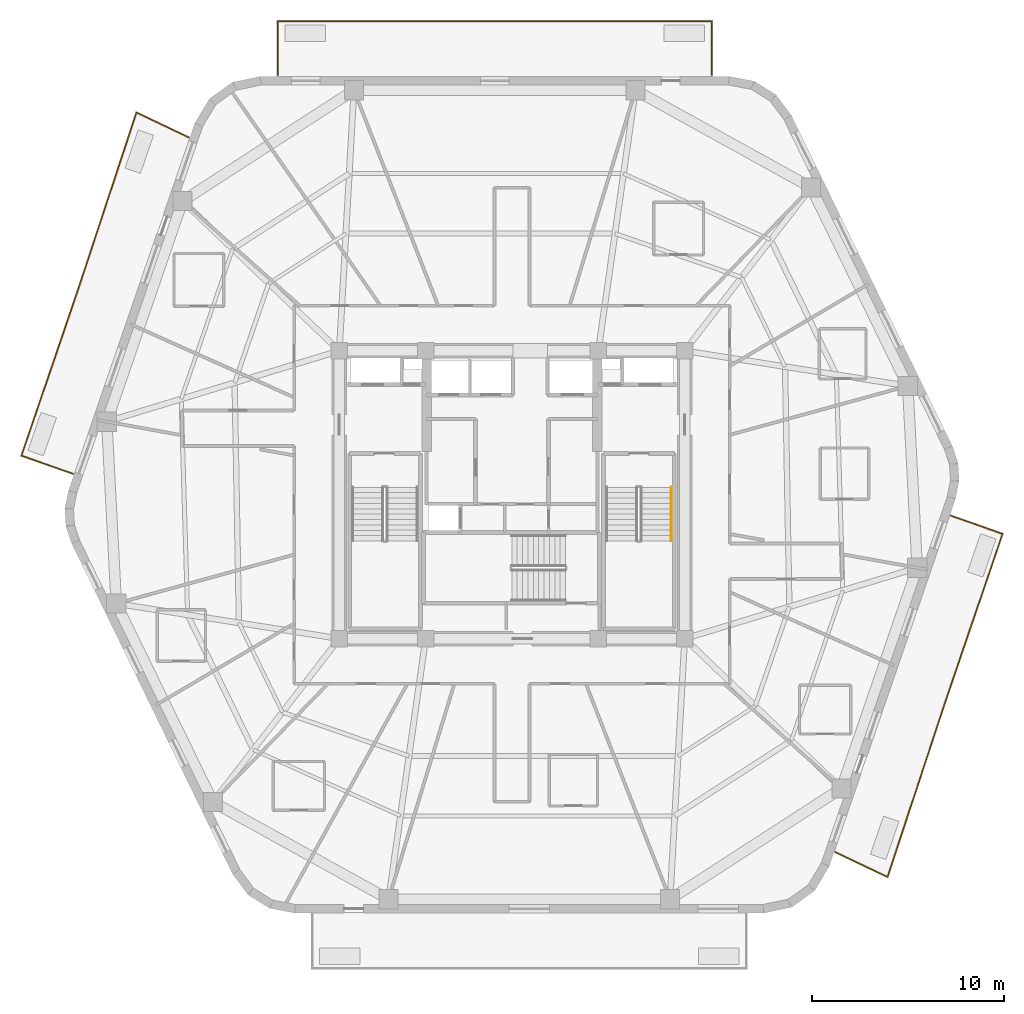
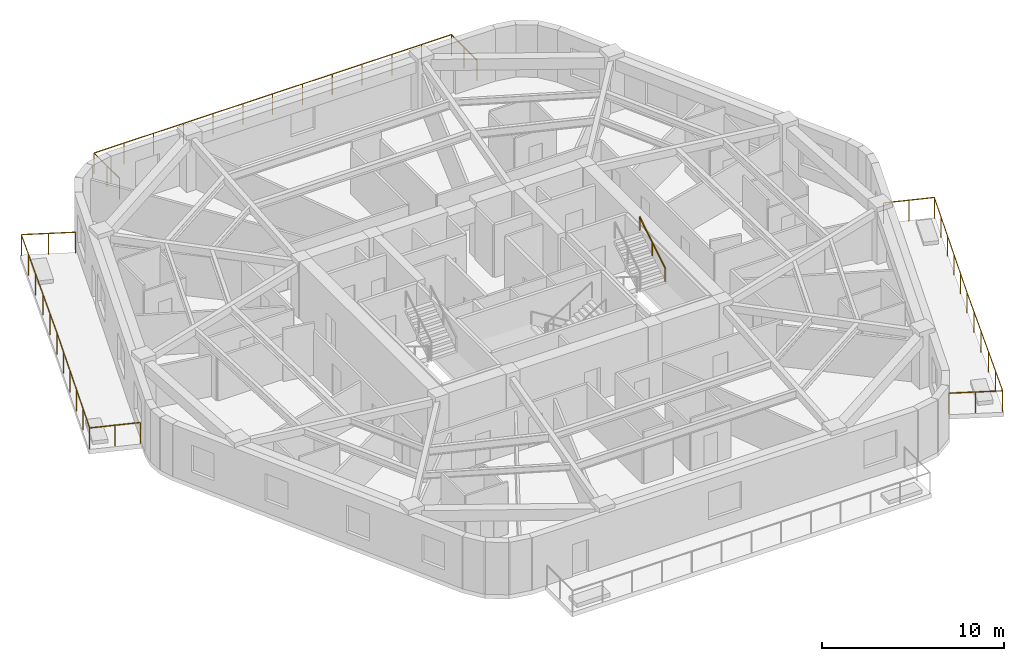
# One storey, part 9 of 9: 4 railings.
"""IFC4 building model written with IfcOpenShell, lengths in metres."""

from ifc_helpers import new_model, si_unit, direction, frame, origin, origin_2d, place, context, subcontext, project, spatial, rectangle, extrude, material, layer, layer_set, type_object, element, save


model = new_model("IFC4")

# Units and contexts
model_context = context("Model", 3, precision=1e-05, world=origin(), true_north=direction((0.0, 1.0)))
body_context = subcontext(model_context, "Body", "Model", "MODEL_VIEW")
ifc_project = project(units=[si_unit("LENGTHUNIT", "METRE"), si_unit("AREAUNIT", "SQUARE_METRE"), si_unit("VOLUMEUNIT", "CUBIC_METRE"), si_unit("PLANEANGLEUNIT", "RADIAN"), si_unit("MASSUNIT", "GRAM", prefix="KILO")], contexts=[model_context])

# Site, building, storey
site_placement = place(None, origin())
site = spatial("IfcSite", under=ifc_project, at=site_placement, CompositionType="ELEMENT")
building_placement = place(site_placement, origin())
building = spatial("IfcBuilding", under=site, at=building_placement, Name="Kilnhurst Terrace Hotel", CompositionType="ELEMENT")
storey_placement = place(building_placement, frame((0.0, 0.0, 229.300048828125)))
storey = spatial("IfcBuildingStorey", under=building, at=storey_placement, Name="L57", CompositionType="ELEMENT", Elevation=229.300048828125)

# Railings
ifc_material_1 = material(Name="Laminated SentryGlas and Stainless Steel AISI 316L Balustrade", Category="steel")
ifc_layer_1 = layer(ifc_material_1, 0.070068359375, Name="Laminated SentryGlas and Stainless Steel AISI 316L Balustrade")
ifc_layer_set_1 = layer_set([ifc_layer_1], Name="Laminated SentryGlas and Stainless Steel AISI 316L Balustrade")
railing_type_1 = type_object("IfcRailingType", Name="RLG-BAL-1420", PredefinedType="BALUSTRADE", material=ifc_layer_set_1)
railing_1_placement = place(storey_placement, frame((22.894287109375, -1.1005859375, 0.0)))
element("IfcRailing", 1, at=railing_1_placement, inside=storey, type_object=railing_type_1, Name="L57 Exterior Terrace Guardrail BAL-L1B.1", PredefinedType="BALUSTRADE", context=body_context, shape_type="SweptSolid", body=[
    extrude(rectangle(XDim=0.048095703125, YDim=0.048095703125, at=origin_2d()), frame((0.0, 0.0, 1.39599609375), z_axis=(0.943611810029, -0.331054001597, 0.0), x_axis=(0.331054001597, 0.943611810029, 0.0)), (0.0, 0.0, 1.0), 2.828125),
    extrude(rectangle(XDim=0.048095703125, YDim=0.048095703125, at=origin_2d()), frame((2.668701171875, -0.936279296875, 1.39599609375), z_axis=(-0.322845243604, -0.946451767753, 0.0), x_axis=(0.946451767753, -0.322845243604, 0.0)), (0.0, 0.0, 1.0), 9.19775390625),
    extrude(rectangle(XDim=0.048095703125, YDim=0.048095703125, at=origin_2d()), frame((-0.30078125, -9.6416015625, 1.39599609375), z_axis=(-0.316227766017, -0.948683298051, 0.0), x_axis=(0.948683298051, -0.316227766017, 0.0)), (0.0, 0.0, 1.0), 0.000732421875),
    extrude(rectangle(XDim=0.048095703125, YDim=0.048095703125, at=origin_2d()), frame((-0.301025390625, -9.642333984375, 1.39599609375), z_axis=(-0.31308682558, -0.949724507238, 0.0), x_axis=(0.949724507238, -0.31308682558, 0.0)), (0.0, 0.0, 1.0), 9.6591796875),
    extrude(rectangle(XDim=0.048095703125, YDim=0.048095703125, at=origin_2d()), frame((-3.3251953125, -18.81591796875, 1.39599609375), z_axis=(-0.902564652544, 0.430554349622, 0.0), x_axis=(-0.430554349622, -0.902564652544, 0.0)), (0.0, 0.0, 1.0), 2.99169921875),
    extrude(rectangle(XDim=0.0419921875, YDim=0.0419921875, at=origin_2d()), origin(), (0.0, 0.0, 1.0), 1.371826171875),
    extrude(rectangle(XDim=0.0419921875, YDim=0.0419921875, at=origin_2d()), frame((1.33447265625, -0.46826171875, 0.0)), (0.0, 0.0, 1.0), 1.371826171875),
    extrude(rectangle(XDim=0.0419921875, YDim=0.0419921875, at=origin_2d()), frame((2.668701171875, -0.936279296875, 0.0)), (0.0, 0.0, 1.0), 1.371826171875),
    extrude(rectangle(XDim=0.0419921875, YDim=0.0419921875, at=origin_2d()), frame((2.07470703125, -2.67724609375, 0.0)), (0.0, 0.0, 1.0), 1.371826171875),
    extrude(rectangle(XDim=0.0419921875, YDim=0.0419921875, at=origin_2d()), frame((1.48095703125, -4.41845703125, 0.0)), (0.0, 0.0, 1.0), 1.371826171875),
    extrude(rectangle(XDim=0.0419921875, YDim=0.0419921875, at=origin_2d()), frame((0.886962890625, -6.159423828125, 0.0)), (0.0, 0.0, 1.0), 1.371826171875),
    extrude(rectangle(XDim=0.0419921875, YDim=0.0419921875, at=origin_2d()), frame((0.293212890625, -7.900634765625, 0.0)), (0.0, 0.0, 1.0), 1.371826171875),
    extrude(rectangle(XDim=0.0419921875, YDim=0.0419921875, at=origin_2d()), frame((-0.30078125, -9.6416015625, 0.0)), (0.0, 0.0, 1.0), 1.371826171875),
    extrude(rectangle(XDim=0.0419921875, YDim=0.0419921875, at=origin_2d()), frame((-0.301025390625, -9.642333984375, 0.0)), (0.0, 0.0, 1.0), 1.371826171875),
    extrude(rectangle(XDim=0.0419921875, YDim=0.0419921875, at=origin_2d()), frame((-0.90576171875, -11.47705078125, 0.0)), (0.0, 0.0, 1.0), 1.371826171875),
    extrude(rectangle(XDim=0.0419921875, YDim=0.0419921875, at=origin_2d()), frame((-1.5107421875, -13.311767578125, 0.0)), (0.0, 0.0, 1.0), 1.371826171875),
    extrude(rectangle(XDim=0.0419921875, YDim=0.0419921875, at=origin_2d()), frame((-2.115478515625, -15.146484375, 0.0)), (0.0, 0.0, 1.0), 1.371826171875),
    extrude(rectangle(XDim=0.0419921875, YDim=0.0419921875, at=origin_2d()), frame((-2.720458984375, -16.981201171875, 0.0)), (0.0, 0.0, 1.0), 1.371826171875),
    extrude(rectangle(XDim=0.0419921875, YDim=0.0419921875, at=origin_2d()), frame((-3.3251953125, -18.81591796875, 0.0)), (0.0, 0.0, 1.0), 1.371826171875),
    extrude(rectangle(XDim=0.0419921875, YDim=0.0419921875, at=origin_2d()), frame((-4.67529296875, -18.171875, 0.0)), (0.0, 0.0, 1.0), 1.371826171875),
    extrude(rectangle(XDim=0.0419921875, YDim=0.0419921875, at=origin_2d()), frame((-6.025390625, -17.52783203125, 0.0)), (0.0, 0.0, 1.0), 1.371826171875),
])
railing_2_placement = place(storey_placement, frame((-12.21484375, 21.8798828125, 0.0)))
element("IfcRailing", 2, at=railing_2_placement, inside=storey, type_object=railing_type_1, Name="L57 Exterior Terrace Guardrail BAL-L2A.1", PredefinedType="BALUSTRADE", context=body_context, shape_type="SweptSolid", body=[
    extrude(rectangle(XDim=0.048095703125, YDim=0.048095703125, at=origin_2d()), frame((0.0, 0.0, 1.39599609375), z_axis=(0.0, 1.0, 0.0), x_axis=(-1.0, 0.0, 0.0)), (0.0, 0.0, 1.0), 2.800048828125),
    extrude(rectangle(XDim=0.048095703125, YDim=0.048095703125, at=origin_2d()), frame((0.0, 2.800048828125, 1.39599609375), z_axis=(1.0, 0.0, 0.0), x_axis=(0.0, 1.0, 0.0)), (0.0, 0.0, 1.0), 22.62353515625),
    extrude(rectangle(XDim=0.048095703125, YDim=0.048095703125, at=origin_2d()), frame((22.62353515625, 2.800048828125, 1.39599609375), z_axis=(0.0, -1.0, 0.0), x_axis=(1.0, 0.0, 0.0)), (0.0, 0.0, 1.0), 2.800048828125),
    extrude(rectangle(XDim=0.0419921875, YDim=0.0419921875, at=origin_2d()), origin(), (0.0, 0.0, 1.0), 1.371826171875),
    extrude(rectangle(XDim=0.0419921875, YDim=0.0419921875, at=origin_2d()), frame((0.0, 1.39990234375, 0.0)), (0.0, 0.0, 1.0), 1.371826171875),
    extrude(rectangle(XDim=0.0419921875, YDim=0.0419921875, at=origin_2d()), frame((0.0, 2.800048828125, 0.0)), (0.0, 0.0, 1.0), 1.371826171875),
    extrude(rectangle(XDim=0.0419921875, YDim=0.0419921875, at=origin_2d()), frame((1.88525390625, 2.800048828125, 0.0)), (0.0, 0.0, 1.0), 1.371826171875),
    extrude(rectangle(XDim=0.0419921875, YDim=0.0419921875, at=origin_2d()), frame((3.7705078125, 2.800048828125, 0.0)), (0.0, 0.0, 1.0), 1.371826171875),
    extrude(rectangle(XDim=0.0419921875, YDim=0.0419921875, at=origin_2d()), frame((5.65576171875, 2.800048828125, 0.0)), (0.0, 0.0, 1.0), 1.371826171875),
    extrude(rectangle(XDim=0.0419921875, YDim=0.0419921875, at=origin_2d()), frame((7.541259765625, 2.800048828125, 0.0)), (0.0, 0.0, 1.0), 1.371826171875),
    extrude(rectangle(XDim=0.0419921875, YDim=0.0419921875, at=origin_2d()), frame((9.426513671875, 2.800048828125, 0.0)), (0.0, 0.0, 1.0), 1.371826171875),
    extrude(rectangle(XDim=0.0419921875, YDim=0.0419921875, at=origin_2d()), frame((11.311767578125, 2.800048828125, 0.0)), (0.0, 0.0, 1.0), 1.371826171875),
    extrude(rectangle(XDim=0.0419921875, YDim=0.0419921875, at=origin_2d()), frame((13.197021484375, 2.800048828125, 0.0)), (0.0, 0.0, 1.0), 1.371826171875),
    extrude(rectangle(XDim=0.0419921875, YDim=0.0419921875, at=origin_2d()), frame((15.082275390625, 2.800048828125, 0.0)), (0.0, 0.0, 1.0), 1.371826171875),
    extrude(rectangle(XDim=0.0419921875, YDim=0.0419921875, at=origin_2d()), frame((16.9677734375, 2.800048828125, 0.0)), (0.0, 0.0, 1.0), 1.371826171875),
    extrude(rectangle(XDim=0.0419921875, YDim=0.0419921875, at=origin_2d()), frame((18.85302734375, 2.800048828125, 0.0)), (0.0, 0.0, 1.0), 1.371826171875),
    extrude(rectangle(XDim=0.0419921875, YDim=0.0419921875, at=origin_2d()), frame((20.73828125, 2.800048828125, 0.0)), (0.0, 0.0, 1.0), 1.371826171875),
    extrude(rectangle(XDim=0.0419921875, YDim=0.0419921875, at=origin_2d()), frame((22.62353515625, 2.800048828125, 0.0)), (0.0, 0.0, 1.0), 1.371826171875),
    extrude(rectangle(XDim=0.0419921875, YDim=0.0419921875, at=origin_2d()), frame((22.62353515625, 1.39990234375, 0.0)), (0.0, 0.0, 1.0), 1.371826171875),
    extrude(rectangle(XDim=0.0419921875, YDim=0.0419921875, at=origin_2d()), frame((22.62353515625, 0.0, 0.0)), (0.0, 0.0, 1.0), 1.371826171875),
])
railing_3_placement = place(storey_placement, frame((-22.894287109375, 1.1005859375, 0.0)))
element("IfcRailing", 3, at=railing_3_placement, inside=storey, type_object=railing_type_1, Name="L57 Exterior Terrace Guardrail BAL-L2B.1", PredefinedType="BALUSTRADE", context=body_context, shape_type="SweptSolid", body=[
    extrude(rectangle(XDim=0.048095703125, YDim=0.048095703125, at=origin_2d()), frame((0.0, 0.0, 1.39599609375), z_axis=(-0.943611810029, 0.331054001597, 0.0), x_axis=(-0.331054001597, -0.943611810029, 0.0)), (0.0, 0.0, 1.0), 2.828125),
    extrude(rectangle(XDim=0.048095703125, YDim=0.048095703125, at=origin_2d()), frame((-2.668701171875, 0.936279296875, 1.39599609375), z_axis=(0.322845243604, 0.946451767753, 0.0), x_axis=(-0.946451767753, 0.322845243604, 0.0)), (0.0, 0.0, 1.0), 9.19775390625),
    extrude(rectangle(XDim=0.048095703125, YDim=0.048095703125, at=origin_2d()), frame((0.30078125, 9.6416015625, 1.39599609375), z_axis=(0.316227766017, 0.948683298051, 0.0), x_axis=(-0.948683298051, 0.316227766017, 0.0)), (0.0, 0.0, 1.0), 0.000732421875),
    extrude(rectangle(XDim=0.048095703125, YDim=0.048095703125, at=origin_2d()), frame((0.301025390625, 9.642333984375, 1.39599609375), z_axis=(0.31308682558, 0.949724507238, 0.0), x_axis=(-0.949724507238, 0.31308682558, 0.0)), (0.0, 0.0, 1.0), 9.6591796875),
    extrude(rectangle(XDim=0.048095703125, YDim=0.048095703125, at=origin_2d()), frame((3.3251953125, 18.81591796875, 1.39599609375), z_axis=(0.902564652544, -0.430554349622, 0.0), x_axis=(0.430554349622, 0.902564652544, 0.0)), (0.0, 0.0, 1.0), 2.99169921875),
    extrude(rectangle(XDim=0.0419921875, YDim=0.0419921875, at=origin_2d()), origin(), (0.0, 0.0, 1.0), 1.371826171875),
    extrude(rectangle(XDim=0.0419921875, YDim=0.0419921875, at=origin_2d()), frame((-1.33447265625, 0.46826171875, 0.0)), (0.0, 0.0, 1.0), 1.371826171875),
    extrude(rectangle(XDim=0.0419921875, YDim=0.0419921875, at=origin_2d()), frame((-2.668701171875, 0.936279296875, 0.0)), (0.0, 0.0, 1.0), 1.371826171875),
    extrude(rectangle(XDim=0.0419921875, YDim=0.0419921875, at=origin_2d()), frame((-2.07470703125, 2.67724609375, 0.0)), (0.0, 0.0, 1.0), 1.371826171875),
    extrude(rectangle(XDim=0.0419921875, YDim=0.0419921875, at=origin_2d()), frame((-1.48095703125, 4.41845703125, 0.0)), (0.0, 0.0, 1.0), 1.371826171875),
    extrude(rectangle(XDim=0.0419921875, YDim=0.0419921875, at=origin_2d()), frame((-0.886962890625, 6.159423828125, 0.0)), (0.0, 0.0, 1.0), 1.371826171875),
    extrude(rectangle(XDim=0.0419921875, YDim=0.0419921875, at=origin_2d()), frame((-0.293212890625, 7.900634765625, 0.0)), (0.0, 0.0, 1.0), 1.371826171875),
    extrude(rectangle(XDim=0.0419921875, YDim=0.0419921875, at=origin_2d()), frame((0.30078125, 9.6416015625, 0.0)), (0.0, 0.0, 1.0), 1.371826171875),
    extrude(rectangle(XDim=0.0419921875, YDim=0.0419921875, at=origin_2d()), frame((0.301025390625, 9.642333984375, 0.0)), (0.0, 0.0, 1.0), 1.371826171875),
    extrude(rectangle(XDim=0.0419921875, YDim=0.0419921875, at=origin_2d()), frame((0.90576171875, 11.47705078125, 0.0)), (0.0, 0.0, 1.0), 1.371826171875),
    extrude(rectangle(XDim=0.0419921875, YDim=0.0419921875, at=origin_2d()), frame((1.5107421875, 13.311767578125, 0.0)), (0.0, 0.0, 1.0), 1.371826171875),
    extrude(rectangle(XDim=0.0419921875, YDim=0.0419921875, at=origin_2d()), frame((2.115478515625, 15.146484375, 0.0)), (0.0, 0.0, 1.0), 1.371826171875),
    extrude(rectangle(XDim=0.0419921875, YDim=0.0419921875, at=origin_2d()), frame((2.720458984375, 16.981201171875, 0.0)), (0.0, 0.0, 1.0), 1.371826171875),
    extrude(rectangle(XDim=0.0419921875, YDim=0.0419921875, at=origin_2d()), frame((3.3251953125, 18.81591796875, 0.0)), (0.0, 0.0, 1.0), 1.371826171875),
    extrude(rectangle(XDim=0.0419921875, YDim=0.0419921875, at=origin_2d()), frame((4.67529296875, 18.171875, 0.0)), (0.0, 0.0, 1.0), 1.371826171875),
    extrude(rectangle(XDim=0.0419921875, YDim=0.0419921875, at=origin_2d()), frame((6.025390625, 17.52783203125, 0.0)), (0.0, 0.0, 1.0), 1.371826171875),
])
ifc_material_2 = material(Name="Brushed Stainless Steel AISI 304", Category="steel")
ifc_layer_2 = layer(ifc_material_2, 0.048095703125, Name="Brushed Stainless Steel AISI 304")
ifc_layer_set_2 = layer_set([ifc_layer_2], Name="Brushed Stainless Steel AISI 304")
railing_type_2 = type_object("IfcRailingType", Name="RLG-ST-HRL-900", PredefinedType="HANDRAIL", material=ifc_layer_set_2)
railing_4_placement = place(storey_placement, frame((8.300048828125, -2.409912109375, 2.07275390625)))
element("IfcRailing", 4, at=railing_4_placement, inside=storey, type_object=railing_type_2, Name="L57 ST-2 stair handrail 2", PredefinedType="HANDRAIL", context=body_context, shape_type="SweptSolid", body=[
    extrude(rectangle(XDim=0.048095703125, YDim=0.048095703125, at=origin_2d()), frame((0.0, 0.0, 0.8759765625), z_axis=(0.0, 0.851069175582, 0.525053576669), x_axis=(-1.0, 0.0, 0.0)), (0.0, 0.0, 1.0), 3.289794921875),
    extrude(rectangle(XDim=0.0419921875, YDim=0.0419921875, at=origin_2d()), origin(), (0.0, 0.0, 1.0), 0.851806640625),
    extrude(rectangle(XDim=0.0419921875, YDim=0.0419921875, at=origin_2d()), frame((0.0, 1.39990234375, 0.86376953125)), (0.0, 0.0, 1.0), 0.851806640625),
    extrude(rectangle(XDim=0.0419921875, YDim=0.0419921875, at=origin_2d()), frame((0.0, 2.7998046875, 1.727294921875)), (0.0, 0.0, 1.0), 0.851806640625),
])

save(model, "model.ifc")
